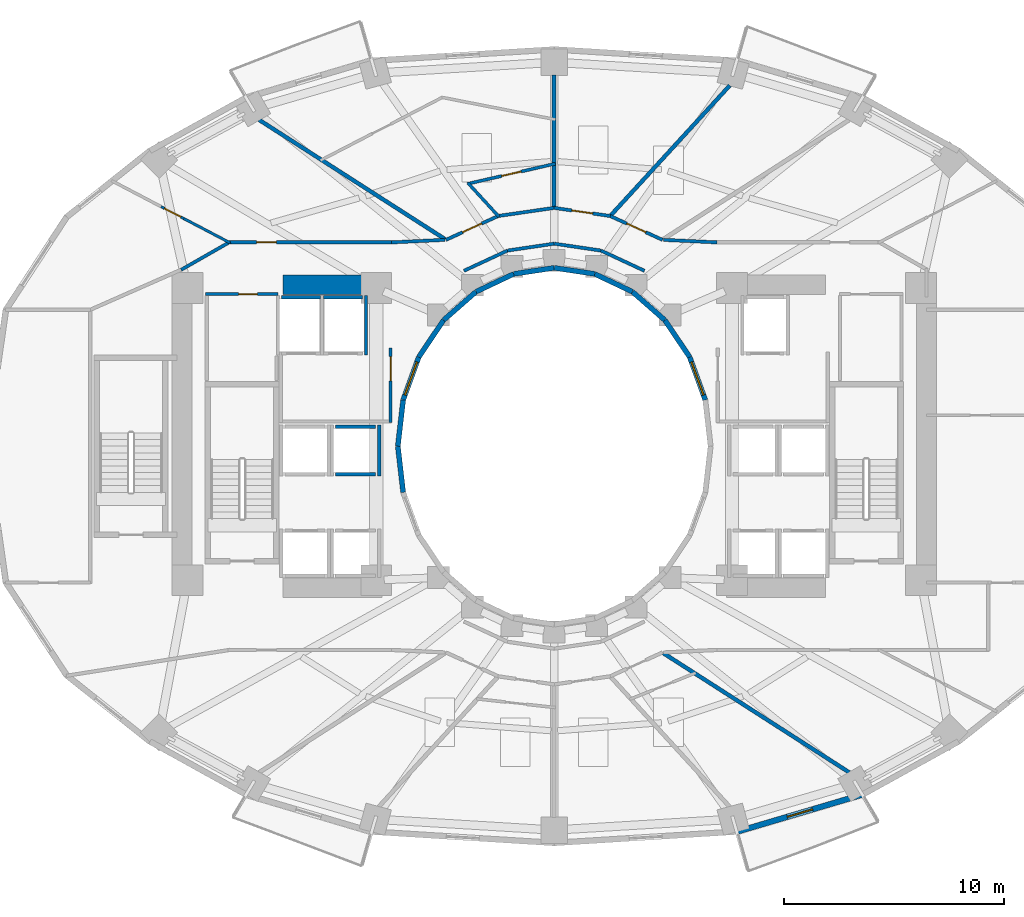
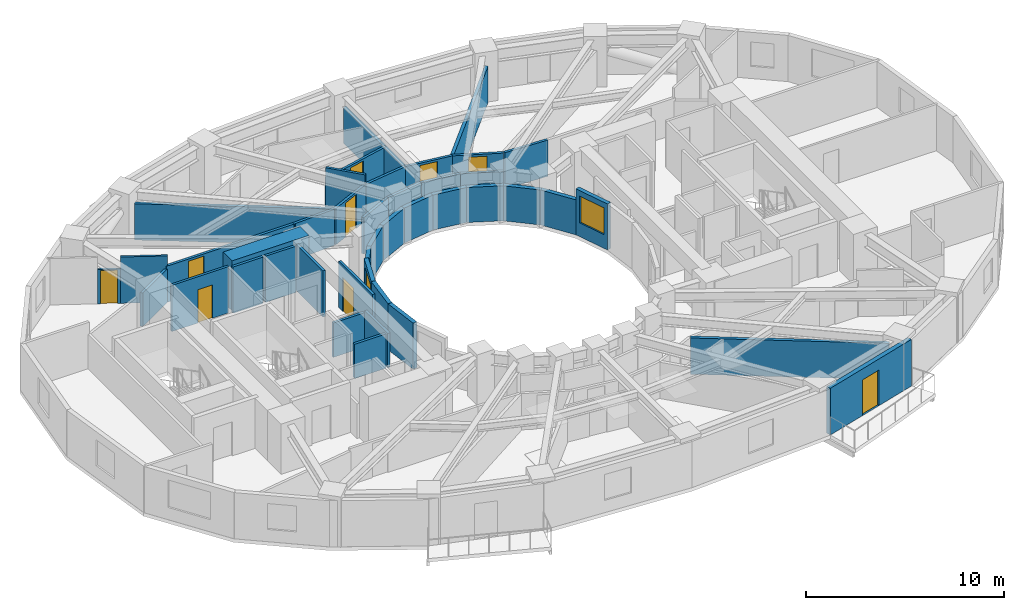
# One storey, part 5 of 11: 42 walls, 9 doors, 2 windows, 11 openings.
"""IFC4 building model written with IfcOpenShell, lengths in metres."""

from ifc_helpers import new_model, si_unit, direction, frame, frame_2d, origin, place, context, subcontext, project, spatial, rectangle, extrude, material, layer, layer_set, type_object, element, fill, save


model = new_model("IFC4")

# Units and contexts
model_context = context("Model", 3, precision=1e-05, world=origin(), true_north=direction((0.0, 1.0)))
body_context = subcontext(model_context, "Body", "Model", "MODEL_VIEW")
ifc_project = project(units=[si_unit("LENGTHUNIT", "METRE"), si_unit("AREAUNIT", "SQUARE_METRE"), si_unit("VOLUMEUNIT", "CUBIC_METRE"), si_unit("PLANEANGLEUNIT", "RADIAN"), si_unit("MASSUNIT", "GRAM", prefix="KILO")], contexts=[model_context])

# Site, building, storey
site_placement = place(None, origin())
site = spatial("IfcSite", under=ifc_project, at=site_placement, CompositionType="ELEMENT")
building_placement = place(site_placement, origin())
building = spatial("IfcBuilding", under=site, at=building_placement, Name="Solvane Sanctuary Tower", CompositionType="ELEMENT")
storey_placement = place(building_placement, frame((0.0, 0.0, 49.300048828125)))
storey = spatial("IfcBuildingStorey", under=building, at=storey_placement, Name="L14", CompositionType="ELEMENT", Elevation=49.300048828125)

# Wall
ifc_material_1 = material(Name="Concrete C70/85", Category="concrete")
ifc_layer_1 = layer(ifc_material_1, 0.89990234375, Name="Concrete C70/85")
ifc_layer_set_1 = layer_set([ifc_layer_1], Name="Concrete C70/85")
wall_type_1 = type_object("IfcWallType", Name="Wall W-CORE-900", PredefinedType="SHEAR", material=ifc_layer_set_1)
wall_1_placement = place(storey_placement, frame((19.64990234375, 30.35009765625, 0.0), z_axis=(0.0, 0.0, 1.0), x_axis=(1.0, 0.0, 0.0)))
element("IfcWall", 1, at=wall_1_placement, inside=storey, type_object=wall_type_1, Name="L14 Core Shear Wall WC-N", PredefinedType="SHEAR", context=body_context, shape_type="SweptSolid", body=[
    extrude(rectangle(XDim=4.5, YDim=0.89990234375, at=frame_2d((2.25, 0.0))), origin(), (0.0, 0.0, 1.0), 3.099853515625),
])

# Wall, opening, door
ifc_material_2 = material(Name="Acoustic Gypsum Partition Board")
ifc_layer_2 = layer(ifc_material_2, 0.14990234375, Name="Acoustic Gypsum Partition Board")
ifc_layer_set_2 = layer_set([ifc_layer_2], Name="Acoustic Gypsum Partition Board")
wall_type_2 = type_object("IfcWallType", Name="Wall W-CORR-150", PredefinedType="PARTITIONING", material=ifc_layer_set_2)
wall_2_placement = place(storey_placement, frame((24.550048828125, 24.080078125, 0.0), z_axis=(0.0, 0.0, 1.0), x_axis=(0.0, 1.0, 0.0)))
wall_2 = element("IfcWall", 2, at=wall_2_placement, inside=storey, type_object=wall_type_2, Name="L14 West Firefighting Lobby East Wall", PredefinedType="PARTITIONING", context=body_context, shape_type="SweptSolid", body=[
    extrude(rectangle(XDim=3.39990234375, YDim=0.14990234375, at=frame_2d((1.699951171875, 0.0))), origin(), (0.0, 0.0, 1.0), 2.85498046875),
])
opening_1_placement = place(wall_2_placement, frame((1.893798828125, 0.0, 0.0)))
opening_1 = element("IfcOpeningElement", 3, at=opening_1_placement, cuts=wall_2, Name="Opening D-L14-08", PredefinedType="OPENING", context=body_context, shape_type="SweptSolid", body=[
    extrude(rectangle(XDim=1.10009765625, YDim=2.10009765625, at=frame_2d((0.550048828125, 1.050048828125))), frame((0.0, 0.0849609375, 0.0), z_axis=(0.0, -1.0, 0.0), x_axis=(1.0, 0.0, 0.0)), (0.0, 0.0, 1.0), 0.169921875),
])
ifc_material_3 = material(Name="Architectural Stainless Steel 316", Category="steel")
door_type_1 = type_object("IfcDoorType", Name="Door D-FFL", OperationType="NOTDEFINED", PredefinedType="DOOR", material=ifc_material_3)
door_1_placement = place(opening_1_placement, origin())
door_1 = element("IfcDoor", 4, at=door_1_placement, inside=storey, type_object=door_type_1, Name="L14 West Firefighting Lobby Fire Door", OperationType="SINGLE_SWING_RIGHT", OverallHeight=2.10009765625, OverallWidth=1.10009765625, PredefinedType="DOOR", context=body_context, shape_type="SweptSolid", body=[
    extrude(rectangle(XDim=1.10009765625, YDim=2.10009765625, at=frame_2d((0.550048828125, 1.050048828125))), frame((0.0, 0.02490234375, 0.0), z_axis=(0.0, -1.0, 0.0), x_axis=(1.0, 0.0, 0.0)), (0.0, 0.0, 1.0), 0.050048828125),
])
fill(opening_1, door_1)

# Walls
wall_3_placement = place(storey_placement, frame((36.110107421875, 30.98486328125, 0.0), z_axis=(0.0, 0.0, 1.0), x_axis=(-0.906943449489, 0.421252393975, 0.0)))
element("IfcWall", 5, at=wall_3_placement, inside=storey, type_object=wall_type_2, Name="L14 Light-Well Corridor Rim Wall N1", PredefinedType="PARTITIONING", context=body_context, shape_type="SweptSolid", body=[
    extrude(rectangle(XDim=2.18603515625, YDim=0.14990234375, at=frame_2d((1.093017578125, 0.0))), origin(), (0.0, 0.0, 1.0), 2.237060546875),
])
for number, where, z_axis, x_axis, name in (
    (6, (34.12744140625, 31.90576171875, 0.0), (0.0, 0.0, 1.0), (-0.989268584896, 0.146108408166, 0.0), "L14 Light-Well Corridor Rim Wall N2"),
    (7, (32.0, 32.219970703125, 0.0), (0.0, 0.0, 1.0), (-0.989268584896, -0.146108408166, 0.0), "L14 Light-Well Corridor Rim Wall N3"),
):
    element("IfcWall", number, at=place(storey_placement, frame(where, z_axis=z_axis, x_axis=x_axis)), inside=storey, type_object=wall_type_2, Name=name, PredefinedType="PARTITIONING", context=body_context, shape_type="SweptSolid", body=[
        extrude(rectangle(XDim=2.150634765625, YDim=0.14990234375, at=frame_2d((1.0751953125, 0.0))), origin(), (0.0, 0.0, 1.0), 2.237060546875),
    ])
wall_4_placement = place(storey_placement, frame((29.87255859375, 31.90576171875, 0.0), z_axis=(0.0, 0.0, 1.0), x_axis=(-0.906943449489, -0.421252393975, 0.0)))
element("IfcWall", 8, at=wall_4_placement, inside=storey, type_object=wall_type_2, Name="L14 Light-Well Corridor Rim Wall N4", PredefinedType="PARTITIONING", context=body_context, shape_type="SweptSolid", body=[
    extrude(rectangle(XDim=2.18603515625, YDim=0.14990234375, at=frame_2d((1.093017578125, 0.0))), origin(), (0.0, 0.0, 1.0), 2.237060546875),
])
for number, where, z_axis, x_axis, name in (
    (9, (36.97998046875, 32.393798828125, 0.0), (0.0, 0.0, 1.0), (0.998877427952, -0.047369651964, 0.0), "L14 NE Corner Throat Wall"),
    (10, (27.02001953125, 32.393798828125, 0.0), (0.0, 0.0, 1.0), (-0.998877427952, -0.047369651964, 0.0), "L14 NW Corner Throat Wall"),
):
    element("IfcWall", number, at=place(storey_placement, frame(where, z_axis=z_axis, x_axis=x_axis)), inside=storey, type_object=wall_type_2, Name=name, PredefinedType="PARTITIONING", context=body_context, shape_type="SweptSolid", body=[
        extrude(rectangle(XDim=2.4326171875, YDim=0.14990234375, at=frame_2d((1.21630859375, 0.0))), origin(), (0.0, 0.0, 1.0), 2.237060546875),
    ])

# Wall, opening, door
wall_5_placement = place(storey_placement, frame((17.14990234375, 32.280029296875, 0.0), z_axis=(0.0, 0.0, 1.0), x_axis=(1.0, 0.0, 0.0)))
wall_5 = element("IfcWall", 11, at=wall_5_placement, inside=storey, type_object=wall_type_2, Name="L14 NW Corner Corridor Wall", PredefinedType="PARTITIONING", context=body_context, shape_type="SweptSolid", body=[
    extrude(rectangle(XDim=7.52001953125, YDim=0.14990234375, at=frame_2d((3.760009765625, 0.0))), origin(), (0.0, 0.0, 1.0), 2.237060546875),
])
opening_2_placement = place(wall_5_placement, frame((1.300048828125, 0.0, 0.0)))
opening_2 = element("IfcOpeningElement", 12, at=opening_2_placement, cuts=wall_5, Name="Opening D-L14-18", PredefinedType="OPENING", context=body_context, shape_type="SweptSolid", body=[
    extrude(rectangle(XDim=0.89990234375, YDim=2.10009765625, at=frame_2d((0.449951171875, 1.050048828125))), frame((0.0, 0.0849609375, 0.0), z_axis=(0.0, -1.0, 0.0), x_axis=(1.0, 0.0, 0.0)), (0.0, 0.0, 1.0), 0.169921875),
])
ifc_material_4 = material(Name="Engineered Tropical Hardwood", Category="wood")
door_type_2 = type_object("IfcDoorType", Name="Door D-WET-900", OperationType="NOTDEFINED", PredefinedType="DOOR", material=ifc_material_4)
door_2_placement = place(opening_2_placement, origin())
door_2 = element("IfcDoor", 13, at=door_2_placement, inside=storey, type_object=door_type_2, Name="L14 NW Corner Salon Door", OperationType="SINGLE_SWING_RIGHT", OverallHeight=2.10009765625, OverallWidth=0.89990234375, PredefinedType="DOOR", context=body_context, shape_type="SweptSolid", body=[
    extrude(rectangle(XDim=0.89990234375, YDim=2.10009765625, at=frame_2d((0.449951171875, 1.050048828125))), frame((0.0, 0.02490234375, 0.0), z_axis=(0.0, -1.0, 0.0), x_axis=(1.0, 0.0, 0.0)), (0.0, 0.0, 1.0), 0.050048828125),
])
fill(opening_2, door_2)

# Wall
wall_6_placement = place(storey_placement, frame((17.243408203125, 32.3046875, 0.0), z_axis=(0.0, 0.0, 1.0), x_axis=(-0.867991349648, -0.496579315857, 0.0)))
element("IfcWall", 14, at=wall_6_placement, inside=storey, type_object=wall_type_2, Name="L14 NW Corner Wing Wall", PredefinedType="PARTITIONING", context=body_context, shape_type="SweptSolid", body=[
    extrude(rectangle(XDim=2.56689453125, YDim=0.14990234375, at=frame_2d((1.283447265625, 0.0))), origin(), (0.0, 0.0, 1.0), 2.06884765625),
])

# Wall, opening, door
wall_7_placement = place(storey_placement, frame((36.930908203125, 32.392578125, 0.0), z_axis=(0.0, 0.0, 1.0), x_axis=(-0.909747571199, 0.415161843982, 0.0)))
wall_7 = element("IfcWall", 15, at=wall_7_placement, inside=storey, type_object=wall_type_2, Name="L14 Unit Corridor Wall N1", PredefinedType="PARTITIONING", context=body_context, shape_type="SweptSolid", body=[
    extrude(rectangle(XDim=2.625, YDim=0.14990234375, at=frame_2d((1.3125, 0.0))), origin(), (0.0, 0.0, 1.0), 2.237060546875),
])
opening_3_placement = place(wall_7_placement, frame((0.837646484375, 0.0, 0.0)))
opening_3 = element("IfcOpeningElement", 16, at=opening_3_placement, cuts=wall_7, Name="Opening D-L14-22", PredefinedType="OPENING", context=body_context, shape_type="SweptSolid", body=[
    extrude(rectangle(XDim=0.949951171875, YDim=2.10009765625, at=frame_2d((0.47509765625, 1.050048828125))), frame((0.0, 0.0849609375, 0.0), z_axis=(0.0, -1.0, 0.0), x_axis=(1.0, 0.0, 0.0)), (0.0, 0.0, 1.0), 0.169921875),
])
door_type_3 = type_object("IfcDoorType", Name="Door D-ROOM-950", OperationType="NOTDEFINED", PredefinedType="DOOR", material=ifc_material_4)
door_3_placement = place(opening_3_placement, origin())
door_3 = element("IfcDoor", 17, at=door_3_placement, inside=storey, type_object=door_type_3, Name="L14 Unit Entrance Door N1", OperationType="SINGLE_SWING_RIGHT", OverallHeight=2.10009765625, OverallWidth=0.949951171875, PredefinedType="DOOR", context=body_context, shape_type="SweptSolid", body=[
    extrude(rectangle(XDim=0.949951171875, YDim=2.10009765625, at=frame_2d((0.47509765625, 1.050048828125))), frame((0.0, 0.02490234375, 0.0), z_axis=(0.0, -1.0, 0.0), x_axis=(1.0, 0.0, 0.0)), (0.0, 0.0, 1.0), 0.050048828125),
])
fill(opening_3, door_3)

wall_8_placement = place(storey_placement, frame((34.555908203125, 33.478271484375, 0.0), z_axis=(0.0, 0.0, 1.0), x_axis=(-0.989637894688, 0.143585644814, 0.0)))
wall_8 = element("IfcWall", 18, at=wall_8_placement, inside=storey, type_object=wall_type_2, Name="L14 Unit Corridor Wall N2", PredefinedType="PARTITIONING", context=body_context, shape_type="SweptSolid", body=[
    extrude(rectangle(XDim=2.589599609375, YDim=0.14990234375, at=frame_2d((1.294921875, 0.0))), origin(), (0.0, 0.0, 1.0), 2.237060546875),
])
opening_4_placement = place(wall_8_placement, frame((0.81982421875, 0.0, 0.0)))
opening_4 = element("IfcOpeningElement", 19, at=opening_4_placement, cuts=wall_8, Name="Opening D-L14-23", PredefinedType="OPENING", context=body_context, shape_type="SweptSolid", body=[
    extrude(rectangle(XDim=0.949951171875, YDim=2.10009765625, at=frame_2d((0.47509765625, 1.050048828125))), frame((0.0, 0.0849609375, 0.0), z_axis=(0.0, -1.0, 0.0), x_axis=(1.0, 0.0, 0.0)), (0.0, 0.0, 1.0), 0.169921875),
])
door_4_placement = place(opening_4_placement, origin())
door_4 = element("IfcDoor", 20, at=door_4_placement, inside=storey, type_object=door_type_3, Name="L14 Unit Entrance Door N2", OperationType="SINGLE_SWING_LEFT", OverallHeight=2.10009765625, OverallWidth=0.949951171875, PredefinedType="DOOR", context=body_context, shape_type="SweptSolid", body=[
    extrude(rectangle(XDim=0.949951171875, YDim=2.10009765625, at=frame_2d((0.47509765625, 1.050048828125))), frame((0.0, 0.02490234375, 0.0), z_axis=(0.0, -1.0, 0.0), x_axis=(1.0, 0.0, 0.0)), (0.0, 0.0, 1.0), 0.050048828125),
])
fill(opening_4, door_4)

# Wall
wall_9_placement = place(storey_placement, frame((32.049560546875, 33.857177734375, 0.0), z_axis=(0.0, 0.0, 1.0), x_axis=(-0.989649898776, -0.143502884474, 0.0)))
element("IfcWall", 21, at=wall_9_placement, inside=storey, type_object=wall_type_2, Name="L14 En-suite Inner Wall N3", PredefinedType="PARTITIONING", context=body_context, shape_type="SweptSolid", body=[
    extrude(rectangle(XDim=2.676025390625, YDim=0.14990234375, at=frame_2d((1.337890625, 0.0))), origin(), (0.0, 0.0, 1.0), 2.237060546875),
])

# Wall, opening, door
wall_10_placement = place(storey_placement, frame((29.457275390625, 33.482421875, 0.0), z_axis=(0.0, 0.0, 1.0), x_axis=(-0.909747571199, -0.415161843982, 0.0)))
wall_10 = element("IfcWall", 22, at=wall_10_placement, inside=storey, type_object=wall_type_2, Name="L14 Unit Corridor Wall N3", PredefinedType="PARTITIONING", context=body_context, shape_type="SweptSolid", body=[
    extrude(rectangle(XDim=2.625, YDim=0.14990234375, at=frame_2d((1.3125, 0.0))), origin(), (0.0, 0.0, 1.0), 2.237060546875),
])
opening_5_placement = place(wall_10_placement, frame((0.837646484375, 0.0, 0.0)))
opening_5 = element("IfcOpeningElement", 23, at=opening_5_placement, cuts=wall_10, Name="Opening D-L14-26", PredefinedType="OPENING", context=body_context, shape_type="SweptSolid", body=[
    extrude(rectangle(XDim=0.949951171875, YDim=2.10009765625, at=frame_2d((0.47509765625, 1.050048828125))), frame((0.0, 0.0849609375, 0.0), z_axis=(0.0, -1.0, 0.0), x_axis=(1.0, 0.0, 0.0)), (0.0, 0.0, 1.0), 0.169921875),
])
door_5_placement = place(opening_5_placement, origin())
door_5 = element("IfcDoor", 24, at=door_5_placement, inside=storey, type_object=door_type_3, Name="L14 Unit Entrance Door N3", OperationType="SINGLE_SWING_RIGHT", OverallHeight=2.10009765625, OverallWidth=0.949951171875, PredefinedType="DOOR", context=body_context, shape_type="SweptSolid", body=[
    extrude(rectangle(XDim=0.949951171875, YDim=2.10009765625, at=frame_2d((0.47509765625, 1.050048828125))), frame((0.0, 0.02490234375, 0.0), z_axis=(0.0, -1.0, 0.0), x_axis=(1.0, 0.0, 0.0)), (0.0, 0.0, 1.0), 0.050048828125),
])
fill(opening_5, door_5)

ifc_material_5 = material(Name="Precast concrete C40/50", Category="concrete")
ifc_layer_3 = layer(ifc_material_5, 0.260009765625, Name="Precast concrete C40/50")
ifc_layer_set_3 = layer_set([ifc_layer_3], Name="Precast concrete C40/50")
wall_type_3 = type_object("IfcWallType", Name="Wall W-EXT-250", PredefinedType="STANDARD", material=ifc_layer_set_3)
wall_11_placement = place(storey_placement, frame((40.331787109375, 5.447021484375, 0.0), z_axis=(0.0, 0.0, 1.0), x_axis=(0.958843593522, 0.283934786811, 0.0)))
wall_11 = element("IfcWall", 25, at=wall_11_placement, inside=storey, type_object=wall_type_3, Name="L14 Balcony Facade Wall S2", PredefinedType="STANDARD", context=body_context, shape_type="SweptSolid", body=[
    extrude(rectangle(XDim=5.955322265625, YDim=0.260009765625, at=frame_2d((2.9775390625, 0.0))), origin(), (0.0, 0.0, 1.0), 2.8798828125),
])
opening_6_placement = place(wall_11_placement, frame((2.377685546875, 0.0, 0.0)))
opening_6 = element("IfcOpeningElement", 26, at=opening_6_placement, cuts=wall_11, Name="Opening D-L14-04", PredefinedType="OPENING", context=body_context, shape_type="SweptSolid", body=[
    extrude(rectangle(XDim=1.199951171875, YDim=2.199951171875, at=frame_2d((0.60009765625, 1.10009765625))), frame((0.0, 0.139892578125, 0.0), z_axis=(0.0, -1.0, 0.0), x_axis=(1.0, 0.0, 0.0)), (0.0, 0.0, 1.0), 0.280029296875),
])
ifc_material_6 = material(Name="Anodised Aluminium 6063-T6", Category="aluminium")
door_type_4 = type_object("IfcDoorType", Name="Door D-BALC-1200", OperationType="NOTDEFINED", PredefinedType="DOOR", material=ifc_material_6)
door_6_placement = place(opening_6_placement, origin())
door_6 = element("IfcDoor", 27, at=door_6_placement, inside=storey, type_object=door_type_4, Name="L14 Glazed Balcony Door S2", OperationType="SINGLE_SWING_LEFT", OverallHeight=2.199951171875, OverallWidth=1.199951171875, PredefinedType="DOOR", context=body_context, shape_type="SweptSolid", body=[
    extrude(rectangle(XDim=1.199951171875, YDim=2.199951171875, at=frame_2d((0.60009765625, 1.10009765625))), frame((0.0, 0.02490234375, 0.0), z_axis=(0.0, -1.0, 0.0), x_axis=(1.0, 0.0, 0.0)), (0.0, 0.0, 1.0), 0.050048828125),
])
fill(opening_6, door_6)

# Wall, opening, window
ifc_layer_4 = layer(ifc_material_5, 0.22998046875, Name="Precast concrete C40/50")
ifc_layer_set_4 = layer_set([ifc_layer_4], Name="Precast concrete C40/50")
wall_type_4 = type_object("IfcWallType", Name="Wall W-EXT-SP220", PredefinedType="STANDARD", material=ifc_layer_set_4)
wall_12_placement = place(storey_placement, frame((38.87744140625, 25.1015625, 0.0), z_axis=(0.0, 0.0, 1.0), x_axis=(-0.341423187295, 0.93990968033, 0.0)))
wall_12 = element("IfcWall", 28, at=wall_12_placement, inside=storey, type_object=wall_type_4, Name="L14 Central Light-Well Wall 01", PredefinedType="STANDARD", context=body_context, shape_type="SweptSolid", body=[
    extrude(rectangle(XDim=2.083740234375, YDim=0.22998046875, at=frame_2d((1.0419921875, 0.0))), origin(), (0.0, 0.0, 1.0), 2.83984375),
])
opening_7_placement = place(wall_12_placement, frame((0.24169921875, 0.0, 0.85009765625)))
opening_7 = element("IfcOpeningElement", 29, at=opening_7_placement, cuts=wall_12, Name="Opening WN-WELL-1600", PredefinedType="OPENING", context=body_context, shape_type="SweptSolid", body=[
    extrude(rectangle(XDim=1.60009765625, YDim=1.64990234375, at=frame_2d((0.800048828125, 0.824951171875))), frame((0.0, 0.125, 0.0), z_axis=(0.0, -1.0, 0.0), x_axis=(1.0, 0.0, 0.0)), (0.0, 0.0, 1.0), 0.25),
])
ifc_material_7 = material(Name="Clear Laminated Light-Well Glass", Category="glass")
window_type = type_object("IfcWindowType", Name="Window WN-WELL-1600", PartitioningType="SINGLE_PANEL", PredefinedType="WINDOW", material=ifc_material_7)
window_1_placement = place(opening_7_placement, origin())
window_1 = element("IfcWindow", 30, at=window_1_placement, inside=storey, type_object=window_type, Name="L14 Light-Well Daylight Window 01", OverallHeight=1.64990234375, OverallWidth=1.60009765625, PartitioningType="SINGLE_PANEL", PredefinedType="WINDOW", context=body_context, shape_type="SweptSolid", body=[
    extrude(rectangle(XDim=1.60009765625, YDim=1.64990234375, at=frame_2d((0.800048828125, 0.824951171875))), frame((0.0, 0.030029296875, 0.0), z_axis=(0.0, -1.0, 0.0), x_axis=(1.0, 0.0, 0.0)), (0.0, 0.0, 1.0), 0.06005859375),
])
fill(opening_7, window_1)

# Walls
wall_13_placement = place(storey_placement, frame((38.166015625, 27.06005859375, 0.0), z_axis=(0.0, 0.0, 1.0), x_axis=(-0.558197800898, 0.829707909492, 0.0)))
element("IfcWall", 31, at=wall_13_placement, inside=storey, type_object=wall_type_4, Name="L14 Central Light-Well Wall 02", PredefinedType="STANDARD", context=body_context, shape_type="SweptSolid", body=[
    extrude(rectangle(XDim=2.02685546875, YDim=0.22998046875, at=frame_2d((1.013427734375, 0.0))), origin(), (0.0, 0.0, 1.0), 2.159912109375),
])
wall_14_placement = place(storey_placement, frame((37.03466796875, 28.74169921875, 0.0), z_axis=(0.0, 0.0, 1.0), x_axis=(-0.752576694707, 0.658504607869, 0.0)))
element("IfcWall", 32, at=wall_14_placement, inside=storey, type_object=wall_type_4, Name="L14 Central Light-Well Wall 03", PredefinedType="STANDARD", context=body_context, shape_type="SweptSolid", body=[
    extrude(rectangle(XDim=1.95947265625, YDim=0.22998046875, at=frame_2d((0.979736328125, 0.0))), origin(), (0.0, 0.0, 1.0), 2.159912109375),
])
wall_15_placement = place(storey_placement, frame((35.56005859375, 30.031982421875, 0.0), z_axis=(0.0, 0.0, 1.0), x_axis=(-0.904179699603, 0.427152280606, 0.0)))
element("IfcWall", 33, at=wall_15_placement, inside=storey, type_object=wall_type_4, Name="L14 Central Light-Well Wall 04", PredefinedType="STANDARD", context=body_context, shape_type="SweptSolid", body=[
    extrude(rectangle(XDim=1.899169921875, YDim=0.22998046875, at=frame_2d((0.94970703125, 0.0))), origin(), (0.0, 0.0, 1.0), 2.159912109375),
])
for number, where, z_axis, x_axis, name in (
    (34, (33.8427734375, 30.84326171875, 0.0), (0.0, 0.0, 1.0), (-0.988901730308, 0.148571086668, 0.0), "L14 Central Light-Well Wall 05"),
    (35, (32.0, 31.1201171875, 0.0), (0.0, 0.0, 1.0), (-0.988901730308, -0.148571086668, 0.0), "L14 Central Light-Well Wall 06"),
):
    element("IfcWall", number, at=place(storey_placement, frame(where, z_axis=z_axis, x_axis=x_axis)), inside=storey, type_object=wall_type_4, Name=name, PredefinedType="STANDARD", context=body_context, shape_type="SweptSolid", body=[
        extrude(rectangle(XDim=1.863525390625, YDim=0.22998046875, at=frame_2d((0.931640625, 0.0))), origin(), (0.0, 0.0, 1.0), 2.159912109375),
    ])
wall_16_placement = place(storey_placement, frame((30.1572265625, 30.84326171875, 0.0), z_axis=(0.0, 0.0, 1.0), x_axis=(-0.904179699603, -0.427152280606, 0.0)))
element("IfcWall", 36, at=wall_16_placement, inside=storey, type_object=wall_type_4, Name="L14 Central Light-Well Wall 07", PredefinedType="STANDARD", context=body_context, shape_type="SweptSolid", body=[
    extrude(rectangle(XDim=1.899169921875, YDim=0.22998046875, at=frame_2d((0.94970703125, 0.0))), origin(), (0.0, 0.0, 1.0), 2.159912109375),
])
wall_17_placement = place(storey_placement, frame((28.43994140625, 30.031982421875, 0.0), z_axis=(0.0, 0.0, 1.0), x_axis=(-0.752576694707, -0.658504607869, 0.0)))
element("IfcWall", 37, at=wall_17_placement, inside=storey, type_object=wall_type_4, Name="L14 Central Light-Well Wall 08", PredefinedType="STANDARD", context=body_context, shape_type="SweptSolid", body=[
    extrude(rectangle(XDim=1.95947265625, YDim=0.22998046875, at=frame_2d((0.979736328125, 0.0))), origin(), (0.0, 0.0, 1.0), 2.159912109375),
])
wall_18_placement = place(storey_placement, frame((26.96533203125, 28.74169921875, 0.0), z_axis=(0.0, 0.0, 1.0), x_axis=(-0.558197800898, -0.829707909492, 0.0)))
element("IfcWall", 38, at=wall_18_placement, inside=storey, type_object=wall_type_4, Name="L14 Central Light-Well Wall 09", PredefinedType="STANDARD", context=body_context, shape_type="SweptSolid", body=[
    extrude(rectangle(XDim=2.02685546875, YDim=0.22998046875, at=frame_2d((1.013427734375, 0.0))), origin(), (0.0, 0.0, 1.0), 2.159912109375),
])

# Wall, opening, window
wall_19_placement = place(storey_placement, frame((25.833984375, 27.06005859375, 0.0), z_axis=(0.0, 0.0, 1.0), x_axis=(-0.341423187295, -0.93990968033, 0.0)))
wall_19 = element("IfcWall", 39, at=wall_19_placement, inside=storey, type_object=wall_type_4, Name="L14 Central Light-Well Wall 10", PredefinedType="STANDARD", context=body_context, shape_type="SweptSolid", body=[
    extrude(rectangle(XDim=2.083740234375, YDim=0.22998046875, at=frame_2d((1.0419921875, 0.0))), origin(), (0.0, 0.0, 1.0), 2.83984375),
])
opening_8_placement = place(wall_19_placement, frame((0.24169921875, 0.0, 0.85009765625)))
opening_8 = element("IfcOpeningElement", 40, at=opening_8_placement, cuts=wall_19, Name="Opening WN-WELL-1600", PredefinedType="OPENING", context=body_context, shape_type="SweptSolid", body=[
    extrude(rectangle(XDim=1.60009765625, YDim=1.64990234375, at=frame_2d((0.800048828125, 0.824951171875))), frame((0.0, 0.125, 0.0), z_axis=(0.0, -1.0, 0.0), x_axis=(1.0, 0.0, 0.0)), (0.0, 0.0, 1.0), 0.25),
])
window_2_placement = place(opening_8_placement, origin())
window_2 = element("IfcWindow", 41, at=window_2_placement, inside=storey, type_object=window_type, Name="L14 Light-Well Daylight Window 10", OverallHeight=1.64990234375, OverallWidth=1.60009765625, PartitioningType="SINGLE_PANEL", PredefinedType="WINDOW", context=body_context, shape_type="SweptSolid", body=[
    extrude(rectangle(XDim=1.60009765625, YDim=1.64990234375, at=frame_2d((0.800048828125, 0.824951171875))), frame((0.0, 0.030029296875, 0.0), z_axis=(0.0, -1.0, 0.0), x_axis=(1.0, 0.0, 0.0)), (0.0, 0.0, 1.0), 0.06005859375),
])
fill(opening_8, window_2)

# Walls
for number, where, z_axis, x_axis, name in (
    (42, (25.12255859375, 25.1015625, 0.0), (0.0, 0.0, 1.0), (-0.114711713601, -0.993398823617, 0.0), "L14 Central Light-Well Wall 11"),
    (43, (24.8798828125, 23.0, 0.0), (0.0, 0.0, 1.0), (0.114711713601, -0.993398823617, 0.0), "L14 Central Light-Well Wall 12"),
):
    element("IfcWall", number, at=place(storey_placement, frame(where, z_axis=z_axis, x_axis=x_axis)), inside=storey, type_object=wall_type_4, Name=name, PredefinedType="STANDARD", context=body_context, shape_type="SweptSolid", body=[
        extrude(rectangle(XDim=2.115478515625, YDim=0.22998046875, at=frame_2d((1.0576171875, 0.0))), origin(), (0.0, 0.0, 1.0), 2.83984375),
    ])
ifc_layer_5 = layer(ifc_material_2, 0.1201171875, Name="Acoustic Gypsum Partition Board")
ifc_layer_set_5 = layer_set([ifc_layer_5], Name="Acoustic Gypsum Partition Board")
wall_type_5 = type_object("IfcWallType", Name="Wall W-MOV-100", PredefinedType="MOVABLE", material=ifc_layer_set_5)
wall_20_placement = place(storey_placement, frame((17.244384765625, 32.2568359375, 0.0), z_axis=(0.0, 0.0, 1.0), x_axis=(-0.885586030676, 0.464475383924, 0.0)))
element("IfcWall", 44, at=wall_20_placement, inside=storey, type_object=wall_type_5, Name="L14 NW Corner Suite Partition", PredefinedType="MOVABLE", context=body_context, shape_type="SweptSolid", body=[
    extrude(rectangle(XDim=2.375732421875, YDim=0.1201171875, at=frame_2d((1.18798828125, 0.0))), origin(), (0.0, 0.0, 1.0), 2.85498046875),
])

# Wall, opening, door
wall_21_placement = place(storey_placement, frame((15.140380859375, 33.3603515625, 0.0), z_axis=(0.0, 0.0, 1.0), x_axis=(-0.885447282698, 0.464739829972, 0.0)))
wall_21 = element("IfcWall", 45, at=wall_21_placement, inside=storey, type_object=wall_type_5, Name="L14 NW Corner Suite Partition", PredefinedType="MOVABLE", context=body_context, shape_type="SweptSolid", body=[
    extrude(rectangle(XDim=1.169921875, YDim=0.1201171875, at=frame_2d((0.5849609375, 0.0))), origin(), (0.0, 0.0, 1.0), 2.10986328125),
])
opening_9_placement = place(wall_21_placement, frame((0.159912109375, 0.0, 0.0)))
opening_9 = element("IfcOpeningElement", 46, at=opening_9_placement, cuts=wall_21, Name="Opening D-L14-17", PredefinedType="OPENING", context=body_context, shape_type="SweptSolid", body=[
    extrude(rectangle(XDim=0.85009765625, YDim=2.050048828125, at=frame_2d((0.425048828125, 1.02490234375))), frame((0.0, 0.070068359375, 0.0), z_axis=(0.0, -1.0, 0.0), x_axis=(1.0, 0.0, 0.0)), (0.0, 0.0, 1.0), 0.14013671875),
])
door_type_5 = type_object("IfcDoorType", Name="Door D-RISER", OperationType="NOTDEFINED", PredefinedType="DOOR", material=ifc_material_3)
door_7_placement = place(opening_9_placement, origin())
door_7 = element("IfcDoor", 47, at=door_7_placement, inside=storey, type_object=door_type_5, Name="L14 NW Corner Suite Door", OperationType="SINGLE_SWING_LEFT", OverallHeight=2.050048828125, OverallWidth=0.85009765625, PredefinedType="DOOR", context=body_context, shape_type="SweptSolid", body=[
    extrude(rectangle(XDim=0.85009765625, YDim=2.050048828125, at=frame_2d((0.425048828125, 1.02490234375))), frame((0.0, 0.02490234375, 0.0), z_axis=(0.0, -1.0, 0.0), x_axis=(1.0, 0.0, 0.0)), (0.0, 0.0, 1.0), 0.050048828125),
])
fill(opening_9, door_7)

# Walls
ifc_material_8 = material(Name="Concrete C50/60", Category="concrete")
ifc_layer_6 = layer(ifc_material_8, 0.14990234375, Name="Concrete C50/60")
ifc_layer_set_6 = layer_set([ifc_layer_6], Name="Concrete C50/60")
wall_type_6 = type_object("IfcWallType", Name="Wall W-SHAFT-150", PredefinedType="SOLIDWALL", material=ifc_layer_set_6)
for number, where, z_axis, x_axis, name in (
    (48, (22.0400390625, 21.719970703125, 0.0), (0.0, 0.0, 1.0), (1.0, 0.0, 0.0), "L14 PH-1 Lift Shaft Wall F"),
    (49, (22.0400390625, 23.8798828125, 0.0), (0.0, 0.0, 1.0), (1.0, 0.0, 0.0), "L14 PH-1 Lift Shaft Wall B"),
):
    element("IfcWall", number, at=place(storey_placement, frame(where, z_axis=z_axis, x_axis=x_axis)), inside=storey, type_object=wall_type_6, Name=name, PredefinedType="SOLIDWALL", context=body_context, shape_type="SweptSolid", body=[
        extrude(rectangle(XDim=1.820068359375, YDim=0.14990234375, at=frame_2d((0.91015625, 0.0))), origin(), (0.0, 0.0, 1.0), 2.119873046875),
    ])
wall_22_placement = place(storey_placement, frame((24.030029296875, 21.639892578125, 0.0), z_axis=(0.0, 0.0, 1.0), x_axis=(0.0, 1.0, 0.0)))
element("IfcWall", 50, at=wall_22_placement, inside=storey, type_object=wall_type_6, Name="L14 PH-1 Lift Shaft Wall S2", PredefinedType="SOLIDWALL", context=body_context, shape_type="SweptSolid", body=[
    extrude(rectangle(XDim=2.320068359375, YDim=0.14990234375, at=frame_2d((1.16015625, 0.0))), origin(), (0.0, 0.0, 1.0), 2.119873046875),
])
for number, where, z_axis, x_axis, name in (
    (51, (19.590087890625, 29.780029296875, 0.0), (0.0, 0.0, 1.0), (1.0, 0.0, 0.0), "L14 FFL-1 Lift Shaft Wall B"),
    (52, (21.5, 29.780029296875, 0.0), (0.0, 0.0, 1.0), (1.0, 0.0, 0.0), "L14 SVL-1 Lift Shaft Wall B"),
):
    element("IfcWall", number, at=place(storey_placement, frame(where, z_axis=z_axis, x_axis=x_axis)), inside=storey, type_object=wall_type_6, Name=name, PredefinedType="SOLIDWALL", context=body_context, shape_type="SweptSolid", body=[
        extrude(rectangle(XDim=1.760009765625, YDim=0.14990234375, at=frame_2d((0.8798828125, 0.0))), origin(), (0.0, 0.0, 1.0), 2.85498046875),
    ])
wall_23_placement = place(storey_placement, frame((23.429931640625, 27.139892578125, 0.0), z_axis=(0.0, 0.0, 1.0), x_axis=(0.0, 1.0, 0.0)))
element("IfcWall", 53, at=wall_23_placement, inside=storey, type_object=wall_type_6, Name="L14 SVL-1 Lift Shaft Wall S2", PredefinedType="SOLIDWALL", context=body_context, shape_type="SweptSolid", body=[
    extrude(rectangle(XDim=2.72021484375, YDim=0.14990234375, at=frame_2d((1.360107421875, 0.0))), origin(), (0.0, 0.0, 1.0), 2.85498046875),
])
ifc_layer_7 = layer(ifc_material_2, 0.179931640625, Name="Acoustic Gypsum Partition Board")
ifc_layer_set_7 = layer_set([ifc_layer_7], Name="Acoustic Gypsum Partition Board")
wall_type_7 = type_object("IfcWallType", Name="Wall W-UNIT-180", PredefinedType="PARTITIONING", material=ifc_layer_set_7)
wall_24_placement = place(storey_placement, frame((34.58642578125, 33.52099609375, 0.0), z_axis=(0.0, 0.0, 1.0), x_axis=(0.675465011224, 0.737392038615, 0.0)))
element("IfcWall", 54, at=wall_24_placement, inside=storey, type_object=wall_type_7, Name="L14 Radial Compartment Wall 075", PredefinedType="PARTITIONING", context=body_context, shape_type="SweptSolid", body=[
    extrude(rectangle(XDim=8.007080078125, YDim=0.179931640625, at=frame_2d((4.00341796875, 0.0))), origin(), (0.0, 0.0, 1.0), 2.237060546875),
])
wall_25_placement = place(storey_placement, frame((32.0, 33.905029296875, 0.0), z_axis=(0.0, 0.0, 1.0), x_axis=(0.0, 1.0, 0.0)))
element("IfcWall", 55, at=wall_25_placement, inside=storey, type_object=wall_type_7, Name="L14 Radial Compartment Wall 090", PredefinedType="PARTITIONING", context=body_context, shape_type="SweptSolid", body=[
    extrude(rectangle(XDim=5.994873046875, YDim=0.179931640625, at=frame_2d((2.99755859375, 0.0))), origin(), (0.0, 0.0, 1.0), 2.237060546875),
])
for number, where, z_axis, x_axis, name in (
    (56, (27.02880859375, 32.426025390625, 0.0), (0.0, 0.0, 1.0), (-0.841689919529, 0.5399611832, 0.0), "L14 Radial Compartment Wall 120"),
    (57, (36.97119140625, 13.573974609375, 0.0), (0.0, 0.0, 1.0), (0.841689919529, -0.5399611832, 0.0), "L14 Radial Compartment Wall 300"),
):
    element("IfcWall", number, at=place(storey_placement, frame(where, z_axis=z_axis, x_axis=x_axis)), inside=storey, type_object=wall_type_7, Name=name, PredefinedType="PARTITIONING", context=body_context, shape_type="SweptSolid", body=[
        extrude(rectangle(XDim=10.058349609375, YDim=0.179931640625, at=frame_2d((5.029296875, 0.0))), origin(), (0.0, 0.0, 1.0), 2.237060546875),
    ])

# Wall, opening, door
ifc_layer_8 = layer(ifc_material_2, 0.139892578125, Name="Acoustic Gypsum Partition Board")
ifc_layer_set_8 = layer_set([ifc_layer_8], Name="Acoustic Gypsum Partition Board")
wall_type_8 = type_object("IfcWallType", Name="Wall W-WET-140", PredefinedType="PLUMBINGWALL", material=ifc_layer_set_8)
wall_26_placement = place(storey_placement, frame((16.1201171875, 29.919921875, 0.0), z_axis=(0.0, 0.0, 1.0), x_axis=(1.0, 0.0, 0.0)))
wall_26 = element("IfcWall", 58, at=wall_26_placement, inside=storey, type_object=wall_type_8, Name="L14 Core Service Front Wall KW0", PredefinedType="PLUMBINGWALL", context=body_context, shape_type="SweptSolid", body=[
    extrude(rectangle(XDim=3.2998046875, YDim=0.139892578125, at=frame_2d((1.64990234375, 0.0))), origin(), (0.0, 0.0, 1.0), 2.85498046875),
])
opening_10_placement = place(wall_26_placement, frame((1.515869140625, 0.0, 0.0)))
opening_10 = element("IfcOpeningElement", 59, at=opening_10_placement, cuts=wall_26, Name="Opening D-L14-10", PredefinedType="OPENING", context=body_context, shape_type="SweptSolid", body=[
    extrude(rectangle(XDim=0.85009765625, YDim=2.050048828125, at=frame_2d((0.425048828125, 1.02490234375))), frame((0.0, 0.079833984375, 0.0), z_axis=(0.0, -1.0, 0.0), x_axis=(1.0, 0.0, 0.0)), (0.0, 0.0, 1.0), 0.159912109375),
])
door_8_placement = place(opening_10_placement, origin())
door_8 = element("IfcDoor", 60, at=door_8_placement, inside=storey, type_object=door_type_5, Name="L14 Core Service Room Door KW0-1", OperationType="SINGLE_SWING_RIGHT", OverallHeight=2.050048828125, OverallWidth=0.85009765625, PredefinedType="DOOR", context=body_context, shape_type="SweptSolid", body=[
    extrude(rectangle(XDim=0.85009765625, YDim=2.050048828125, at=frame_2d((0.425048828125, 1.02490234375))), frame((0.0, 0.02490234375, 0.0), z_axis=(0.0, -1.0, 0.0), x_axis=(1.0, 0.0, 0.0)), (0.0, 0.0, 1.0), 0.050048828125),
])
fill(opening_10, door_8)

# Wall
wall_27_placement = place(storey_placement, frame((29.484375, 33.443359375, 0.0), z_axis=(0.0, 0.0, 1.0), x_axis=(-0.675445566455, 0.737409849918, 0.0)))
element("IfcWall", 61, at=wall_27_placement, inside=storey, type_object=wall_type_8, Name="L14 En-suite Side Partition N3", PredefinedType="PLUMBINGWALL", context=body_context, shape_type="SweptSolid", body=[
    extrude(rectangle(XDim=2.10009765625, YDim=0.139892578125, at=frame_2d((1.050048828125, 0.0))), origin(), (0.0, 0.0, 1.0), 2.85498046875),
])

# Wall, opening, door
wall_28_placement = place(storey_placement, frame((32.048583984375, 35.861083984375, 0.0), z_axis=(0.0, 0.0, 1.0), x_axis=(-0.974672340529, -0.223637717318, 0.0)))
wall_28 = element("IfcWall", 62, at=wall_28_placement, inside=storey, type_object=wall_type_8, Name="L14 En-suite Bedroom Wall N3", PredefinedType="PLUMBINGWALL", context=body_context, shape_type="SweptSolid", body=[
    extrude(rectangle(XDim=4.101318359375, YDim=0.139892578125, at=frame_2d((2.05078125, 0.0))), origin(), (0.0, 0.0, 1.0), 2.237060546875),
])
opening_11_placement = place(wall_28_placement, frame((1.600830078125, 0.0, 0.0)))
opening_11 = element("IfcOpeningElement", 63, at=opening_11_placement, cuts=wall_28, Name="Opening D-L14-25", PredefinedType="OPENING", context=body_context, shape_type="SweptSolid", body=[
    extrude(rectangle(XDim=0.89990234375, YDim=2.10009765625, at=frame_2d((0.449951171875, 1.050048828125))), frame((0.0, 0.079833984375, 0.0), z_axis=(0.0, -1.0, 0.0), x_axis=(1.0, 0.0, 0.0)), (0.0, 0.0, 1.0), 0.159912109375),
])
door_9_placement = place(opening_11_placement, origin())
door_9 = element("IfcDoor", 64, at=door_9_placement, inside=storey, type_object=door_type_2, Name="L14 En-suite Bathroom Door N3", OperationType="SINGLE_SWING_LEFT", OverallHeight=2.10009765625, OverallWidth=0.89990234375, PredefinedType="DOOR", context=body_context, shape_type="SweptSolid", body=[
    extrude(rectangle(XDim=0.89990234375, YDim=2.10009765625, at=frame_2d((0.449951171875, 1.050048828125))), frame((0.0, 0.02490234375, 0.0), z_axis=(0.0, -1.0, 0.0), x_axis=(1.0, 0.0, 0.0)), (0.0, 0.0, 1.0), 0.050048828125),
])
fill(opening_11, door_9)

save(model, "model.ifc")
